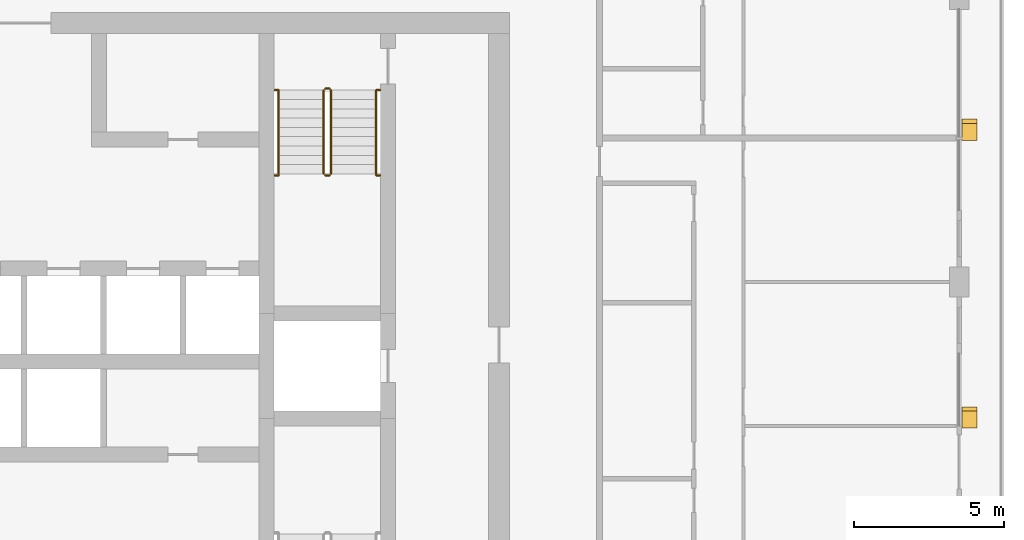
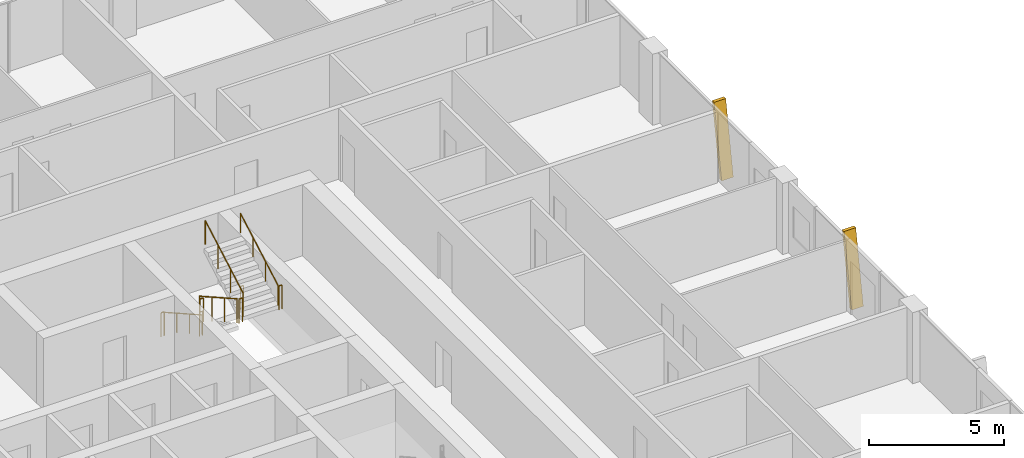
# One storey, part 22 of 23: 10 railings, 2 shading devices.
"""IFC4 building model written with IfcOpenShell, lengths in metres."""

from ifc_helpers import new_model, si_unit, direction, frame, origin, origin_2d, place, context, subcontext, project, spatial, polyline, circle, outline, extrude, material, type_object, element, save


model = new_model("IFC4")

# Units and contexts
model_context = context("Model", 3, precision=1e-05, world=origin(), true_north=direction((0.0, 1.0)))
body_context = subcontext(model_context, "Body", "Model", "MODEL_VIEW")
ifc_project = project(units=[si_unit("LENGTHUNIT", "METRE"), si_unit("AREAUNIT", "SQUARE_METRE"), si_unit("VOLUMEUNIT", "CUBIC_METRE"), si_unit("PLANEANGLEUNIT", "RADIAN"), si_unit("MASSUNIT", "GRAM", prefix="KILO")], contexts=[model_context])

# Site, building, storey
site_placement = place(None, origin())
site = spatial("IfcSite", under=ifc_project, at=site_placement, CompositionType="ELEMENT")
building_placement = place(site_placement, origin())
building = spatial("IfcBuilding", under=site, at=building_placement, Name="Madar Terraces", CompositionType="ELEMENT")
storey_placement = place(building_placement, frame((0.0, 0.0, 219.300048828125)))
storey = spatial("IfcBuildingStorey", under=building, at=storey_placement, Name="L57", CompositionType="ELEMENT", Elevation=219.300048828125)

# Shading devices
ifc_material_1 = material(Name="Aluminium, black anodised", Category="aluminium")
shading_device_type = type_object("IfcShadingDeviceType", Name="Facade fin blade 140 x 500", PredefinedType="USERDEFINED", material=ifc_material_1)
shading_device_1_placement = place(storey_placement, frame((62.75, 23.929931640625, 0.0), z_axis=(0.0, 0.0, 1.0), x_axis=(0.0, 1.0, 0.0)))
element("IfcShadingDevice", 1, at=shading_device_1_placement, inside=storey, type_object=shading_device_type, Name="FIN L57 E2", ObjectType="FIN", PredefinedType="USERDEFINED", context=body_context, shape_type="SweptSolid", body=[
    extrude(outline(polyline([(0.0, 0.0), (0.14013671875, 0.0), (0.704345703125, 3.199951171875), (0.564208984375, 3.199951171875), (0.0, 0.0)])), frame((0.0, 0.25, 0.0), z_axis=(0.0, -1.0, 0.0), x_axis=(1.0, 0.0, 0.0)), (0.0, 0.0, 1.0), 0.5),
])
shading_device_2_placement = place(storey_placement, frame((62.75, 33.530029296875, 0.0), z_axis=(0.0, 0.0, 1.0), x_axis=(0.0, 1.0, 0.0)))
element("IfcShadingDevice", 2, at=shading_device_2_placement, inside=storey, type_object=shading_device_type, Name="FIN L57 E3", ObjectType="FIN", PredefinedType="USERDEFINED", context=body_context, shape_type="SweptSolid", body=[
    extrude(outline(polyline([(0.0, 0.0), (0.139892578125, 0.0), (0.704345703125, 3.199951171875), (0.564208984375, 3.199951171875), (0.0, 0.0)])), frame((0.0, 0.25, 0.0), z_axis=(0.0, -1.0, 0.0), x_axis=(1.0, 0.0, 0.0)), (0.0, 0.0, 1.0), 0.5),
])

# Railings
ifc_material_2 = material(Name="Stainless steel railing", Category="steel")
railing_type_1 = type_object("IfcRailingType", Name="Stair guard 1100", PredefinedType="GUARDRAIL", material=ifc_material_2)
railing_1_placement = place(storey_placement, frame((41.199951171875, 35.199951171875, 0.175048828125)))
element("IfcRailing", 3, at=railing_1_placement, inside=storey, type_object=railing_type_1, Name="L57 ST2 stair guard 1", PredefinedType="GUARDRAIL", context=body_context, shape_type="SweptSolid", body=[
    extrude(circle(Radius=0.02392578125, at=origin_2d()), frame((0.0, 0.0, 1.076171875), z_axis=(0.0, -0.870833779661, 0.491577591232), x_axis=(1.0, 0.0, 0.0)), (0.0, 0.0, 1.0), 3.203857421875),
    extrude(circle(Radius=0.02099609375, at=origin_2d()), origin(), (0.0, 0.0, 1.0), 1.052001953125),
    extrude(circle(Radius=0.02099609375, at=origin_2d()), frame((0.0, -0.929931640625, 0.52490234375)), (0.0, 0.0, 1.0), 1.052001953125),
    extrude(circle(Radius=0.02099609375, at=origin_2d()), frame((0.0, -1.860107421875, 1.050048828125)), (0.0, 0.0, 1.0), 1.052001953125),
    extrude(circle(Radius=0.02099609375, at=origin_2d()), frame((0.0, -2.7900390625, 1.574951171875)), (0.0, 0.0, 1.0), 1.052001953125),
])
railing_2_placement = place(storey_placement, frame((41.25, 32.360107421875, 1.75)))
element("IfcRailing", 4, at=railing_2_placement, inside=storey, type_object=railing_type_1, Name="L57 ST2 stair guard 2", PredefinedType="GUARDRAIL", context=body_context, shape_type="SweptSolid", body=[
    extrude(circle(Radius=0.02392578125, at=origin_2d()), frame((0.0, 0.0, 1.076171875), z_axis=(1.0, 0.0, 0.0), x_axis=(0.0, 1.0, 0.0)), (0.0, 0.0, 1.0), 0.14990234375),
    extrude(circle(Radius=0.02099609375, at=origin_2d()), origin(), (0.0, 0.0, 1.0), 1.052001953125),
    extrude(circle(Radius=0.02099609375, at=origin_2d()), frame((0.14990234375, 0.0, 0.0)), (0.0, 0.0, 1.0), 1.052001953125),
])
railing_3_placement = place(storey_placement, frame((41.449951171875, 32.409912109375, 1.925048828125)))
element("IfcRailing", 5, at=railing_3_placement, inside=storey, type_object=railing_type_1, Name="L57 ST2 stair guard 3", PredefinedType="GUARDRAIL", context=body_context, shape_type="SweptSolid", body=[
    extrude(circle(Radius=0.02392578125, at=origin_2d()), frame((0.0, 0.0, 1.076171875), z_axis=(0.0, 0.870833779661, 0.491577591232), x_axis=(-1.0, 0.0, 0.0)), (0.0, 0.0, 1.0), 3.203857421875),
    extrude(circle(Radius=0.02099609375, at=origin_2d()), origin(), (0.0, 0.0, 1.0), 1.052001953125),
    extrude(circle(Radius=0.02099609375, at=origin_2d()), frame((0.0, 0.929931640625, 0.52490234375)), (0.0, 0.0, 1.0), 1.052001953125),
    extrude(circle(Radius=0.02099609375, at=origin_2d()), frame((0.0, 1.860107421875, 1.050048828125)), (0.0, 0.0, 1.0), 1.052001953125),
    extrude(circle(Radius=0.02099609375, at=origin_2d()), frame((0.0, 2.7900390625, 1.574951171875)), (0.0, 0.0, 1.0), 1.052001953125),
])
railing_4_placement = place(storey_placement, frame((41.25, 35.25, 0.0)))
element("IfcRailing", 6, at=railing_4_placement, inside=storey, type_object=railing_type_1, Name="L57 ST2 stair guard 4", PredefinedType="GUARDRAIL", context=body_context, shape_type="SweptSolid", body=[
    extrude(circle(Radius=0.02392578125, at=origin_2d()), frame((0.0, 0.0, 1.076171875), z_axis=(1.0, 0.0, 0.0), x_axis=(0.0, 1.0, 0.0)), (0.0, 0.0, 1.0), 0.14990234375),
    extrude(circle(Radius=0.02099609375, at=origin_2d()), origin(), (0.0, 0.0, 1.0), 1.052001953125),
    extrude(circle(Radius=0.02099609375, at=origin_2d()), frame((0.14990234375, 0.0, 0.0)), (0.0, 0.0, 1.0), 1.052001953125),
])
railing_5_placement = place(storey_placement, frame((39.570068359375, 32.360107421875, 1.75)))
element("IfcRailing", 7, at=railing_5_placement, inside=storey, type_object=railing_type_1, Name="L57 stair guard seat 1", PredefinedType="GUARDRAIL", context=body_context, shape_type="SweptSolid", body=[
    extrude(circle(Radius=0.02392578125, at=origin_2d()), frame((0.0, 0.0, 1.076171875), z_axis=(1.0, 0.0, 0.0), x_axis=(0.0, 1.0, 0.0)), (0.0, 0.0, 1.0), 0.1298828125),
    extrude(circle(Radius=0.02099609375, at=origin_2d()), origin(), (0.0, 0.0, 1.0), 1.052001953125),
    extrude(circle(Radius=0.02099609375, at=origin_2d()), frame((0.1298828125, 0.0, 0.0)), (0.0, 0.0, 1.0), 1.052001953125),
])
railing_6_placement = place(storey_placement, frame((42.949951171875, 32.360107421875, 1.75)))
element("IfcRailing", 8, at=railing_6_placement, inside=storey, type_object=railing_type_1, Name="L57 stair guard seat 2", PredefinedType="GUARDRAIL", context=body_context, shape_type="SweptSolid", body=[
    extrude(circle(Radius=0.02392578125, at=origin_2d()), frame((0.0, 0.0, 1.076171875), z_axis=(1.0, 0.0, 0.0), x_axis=(0.0, 1.0, 0.0)), (0.0, 0.0, 1.0), 0.130126953125),
    extrude(circle(Radius=0.02099609375, at=origin_2d()), origin(), (0.0, 0.0, 1.0), 1.052001953125),
    extrude(circle(Radius=0.02099609375, at=origin_2d()), frame((0.130126953125, 0.0, 0.0)), (0.0, 0.0, 1.0), 1.052001953125),
])
railing_7_placement = place(storey_placement, frame((39.570068359375, 35.199951171875, 0.0)))
element("IfcRailing", 9, at=railing_7_placement, inside=storey, type_object=railing_type_1, Name="L57 stair guard floor 1", PredefinedType="GUARDRAIL", context=body_context, shape_type="SweptSolid", body=[
    extrude(circle(Radius=0.02392578125, at=origin_2d()), frame((0.0, 0.0, 1.076171875), z_axis=(1.0, 0.0, 0.0), x_axis=(0.0, 1.0, 0.0)), (0.0, 0.0, 1.0), 0.1298828125),
    extrude(circle(Radius=0.02099609375, at=origin_2d()), origin(), (0.0, 0.0, 1.0), 1.052001953125),
    extrude(circle(Radius=0.02099609375, at=origin_2d()), frame((0.1298828125, 0.0, 0.0)), (0.0, 0.0, 1.0), 1.052001953125),
])
railing_8_placement = place(storey_placement, frame((42.949951171875, 35.199951171875, 0.0)))
element("IfcRailing", 10, at=railing_8_placement, inside=storey, type_object=railing_type_1, Name="L57 stair guard floor 2", PredefinedType="GUARDRAIL", context=body_context, shape_type="SweptSolid", body=[
    extrude(circle(Radius=0.02392578125, at=origin_2d()), frame((0.0, 0.0, 1.076171875), z_axis=(1.0, 0.0, 0.0), x_axis=(0.0, 1.0, 0.0)), (0.0, 0.0, 1.0), 0.130126953125),
    extrude(circle(Radius=0.02099609375, at=origin_2d()), origin(), (0.0, 0.0, 1.0), 1.052001953125),
    extrude(circle(Radius=0.02099609375, at=origin_2d()), frame((0.130126953125, 0.0, 0.0)), (0.0, 0.0, 1.0), 1.052001953125),
])
ifc_material_3 = material(Name="Stainless steel railing", Category="steel")
railing_type_2 = type_object("IfcRailingType", Name="Stair handrail 900", PredefinedType="HANDRAIL", material=ifc_material_3)
railing_9_placement = place(storey_placement, frame((39.699951171875, 35.199951171875, 0.175048828125)))
element("IfcRailing", 11, at=railing_9_placement, inside=storey, type_object=railing_type_2, Name="L57 ST2 stair handrail 1", PredefinedType="HANDRAIL", context=body_context, shape_type="SweptSolid", body=[
    extrude(circle(Radius=0.02392578125, at=origin_2d()), frame((0.0, 0.0, 0.8759765625), z_axis=(0.0, -0.870833779661, 0.491577591232), x_axis=(1.0, 0.0, 0.0)), (0.0, 0.0, 1.0), 3.203857421875),
    extrude(circle(Radius=0.02099609375, at=origin_2d()), origin(), (0.0, 0.0, 1.0), 0.851806640625),
    extrude(circle(Radius=0.02099609375, at=origin_2d()), frame((0.0, -0.929931640625, 0.52490234375)), (0.0, 0.0, 1.0), 0.851806640625),
    extrude(circle(Radius=0.02099609375, at=origin_2d()), frame((0.0, -1.860107421875, 1.050048828125)), (0.0, 0.0, 1.0), 0.851806640625),
    extrude(circle(Radius=0.02099609375, at=origin_2d()), frame((0.0, -2.7900390625, 1.574951171875)), (0.0, 0.0, 1.0), 0.851806640625),
])
railing_10_placement = place(storey_placement, frame((42.949951171875, 32.409912109375, 1.925048828125)))
element("IfcRailing", 12, at=railing_10_placement, inside=storey, type_object=railing_type_2, Name="L57 ST2 stair handrail 2", PredefinedType="HANDRAIL", context=body_context, shape_type="SweptSolid", body=[
    extrude(circle(Radius=0.02392578125, at=origin_2d()), frame((0.0, 0.0, 0.8759765625), z_axis=(0.0, 0.870833779661, 0.491577591232), x_axis=(-1.0, 0.0, 0.0)), (0.0, 0.0, 1.0), 3.203857421875),
    extrude(circle(Radius=0.02099609375, at=origin_2d()), origin(), (0.0, 0.0, 1.0), 0.851806640625),
    extrude(circle(Radius=0.02099609375, at=origin_2d()), frame((0.0, 0.929931640625, 0.52490234375)), (0.0, 0.0, 1.0), 0.851806640625),
    extrude(circle(Radius=0.02099609375, at=origin_2d()), frame((0.0, 1.860107421875, 1.050048828125)), (0.0, 0.0, 1.0), 0.851806640625),
    extrude(circle(Radius=0.02099609375, at=origin_2d()), frame((0.0, 2.7900390625, 1.574951171875)), (0.0, 0.0, 1.0), 0.851806640625),
])

save(model, "model.ifc")
